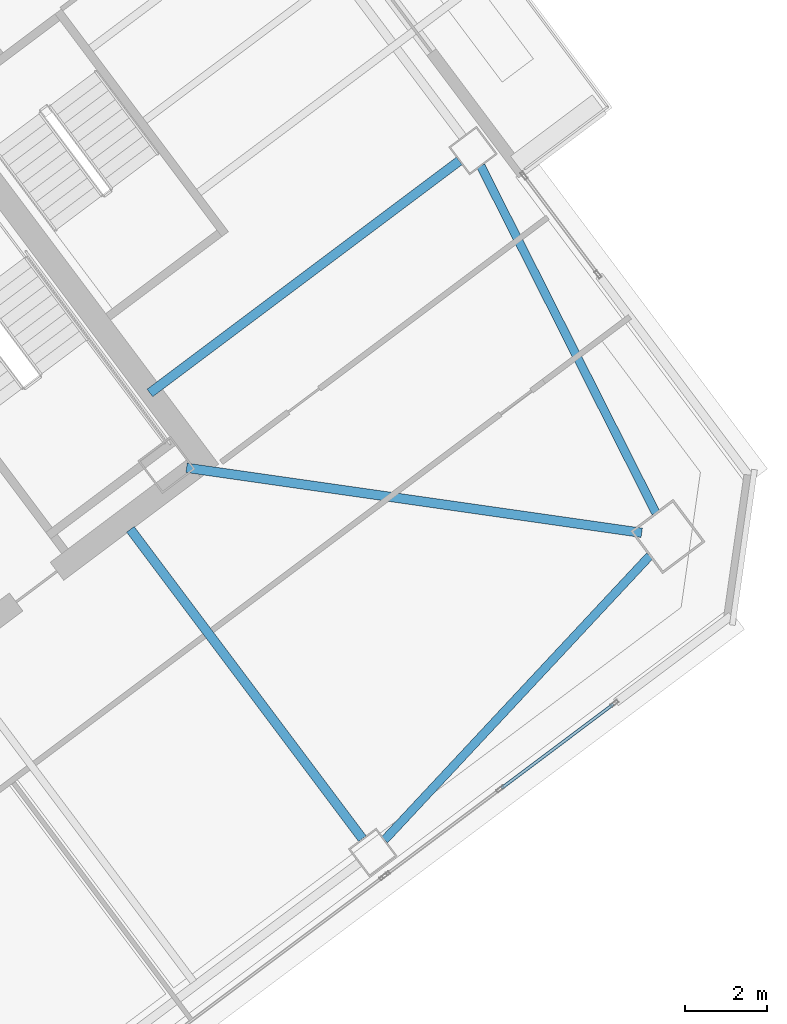
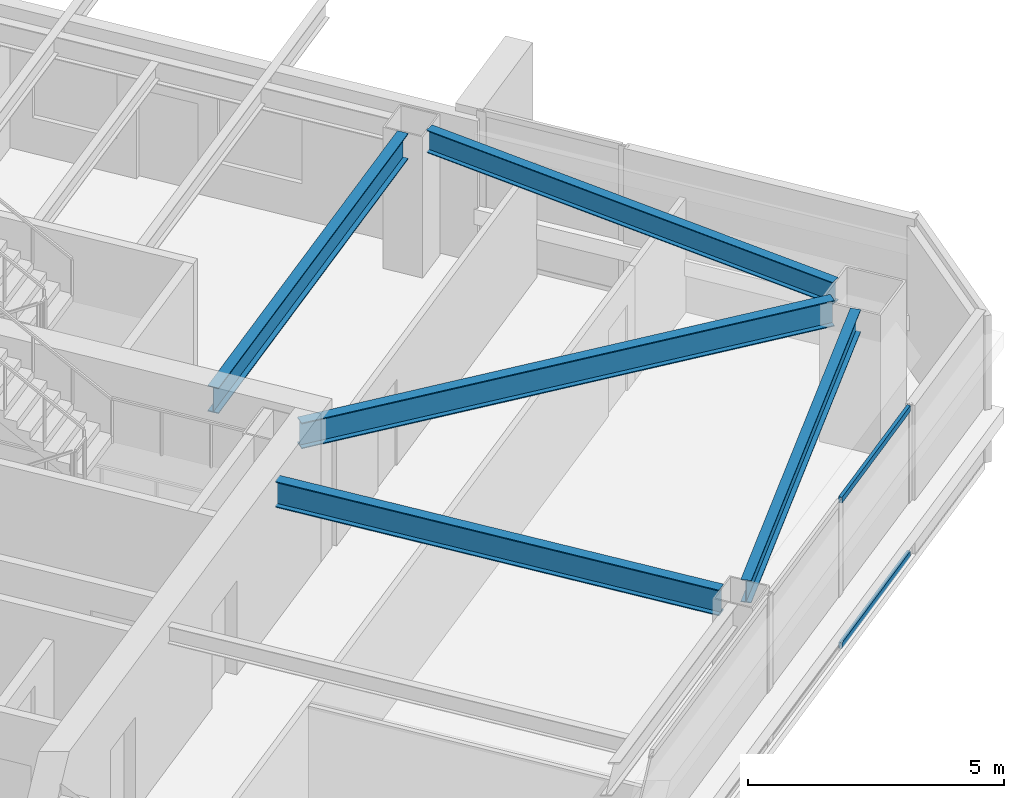
# One storey, part 24 of 44: 5 beams, 2 members, 1 element without a shape of its own.
"""IFC4 building model written with IfcOpenShell, lengths in metres."""

from ifc_helpers import new_model, si_unit, direction, frame, origin, origin_2d, place, context, subcontext, project, spatial, hollow_rectangle, i_section, extrude, material, material_profile, profile_set, type_object, element, aggregate, save


model = new_model("IFC4")

# Units and contexts
model_context = context("Model", 3, precision=1e-05, world=origin(), true_north=direction((0.0, 1.0)))
body_context = subcontext(model_context, "Body", "Model", "MODEL_VIEW")
ifc_project = project(units=[si_unit("LENGTHUNIT", "METRE"), si_unit("AREAUNIT", "SQUARE_METRE"), si_unit("VOLUMEUNIT", "CUBIC_METRE"), si_unit("PLANEANGLEUNIT", "RADIAN"), si_unit("MASSUNIT", "GRAM", prefix="KILO")], contexts=[model_context])

# Site, building, storey
site_placement = place(None, origin())
site = spatial("IfcSite", under=ifc_project, at=site_placement, CompositionType="ELEMENT")
building_placement = place(site_placement, origin())
building = spatial("IfcBuilding", under=site, at=building_placement, Name="Tashvorn Skyway Center", CompositionType="ELEMENT")
storey_placement = place(building_placement, frame((0.0, 0.0, 149.89990234375)))
storey = spatial("IfcBuildingStorey", under=building, at=storey_placement, Name="L40", CompositionType="ELEMENT", Elevation=149.89990234375)

# Beams
ifc_material_1 = material(Name="Steel ASTM A992 Grade 50", Category="steel")
ifc_material_profile_1 = material_profile(ifc_material_1, i_section(OverallWidth=0.22998046875, OverallDepth=0.616943359375, WebThickness=0.01318359375, FlangeThickness=0.022216796875, at=origin_2d()), Name="W24X94")
ifc_profile_set_1 = profile_set([ifc_material_profile_1], Name="Steel ASTM A992 Grade 50")
beam_type_1 = type_object("IfcBeamType", Name="BM-BEAM-W24X94", PredefinedType="BEAM", material=ifc_profile_set_1)
beam_1_placement = place(storey_placement, frame((135.4814453125, 28.93115234375, 3.0615234375), z_axis=(-0.989948189712, 0.141430483583, 0.0), x_axis=(-0.141430483583, -0.989948189712, 0.0)))
element("IfcBeam", 1, at=beam_1_placement, inside=storey, type_object=beam_type_1, Name="Tower 2 L40 Primary Floor Girder MC-SE", PredefinedType="BEAM", context=body_context, shape_type="SweptSolid", body=[
    extrude(i_section(OverallWidth=0.22998046875, OverallDepth=0.616943359375, WebThickness=0.01318359375, FlangeThickness=0.022216796875, at=origin_2d()), origin(), (0.0, 0.0, 1.0), 11.234375),
])
for number, where, z_axis, x_axis, name in (
    (2, (128.657958984375, 21.4560546875, 3.0615234375), (-0.599991732772, 0.800006200354, 0.0), (-0.800006200354, -0.599991732772, 0.0), "Tower 2 L40 Primary Floor Girder FC-S2"),
    (3, (131.02392578125, 38.01806640625, 3.0615234375), (-0.799984498661, -0.600020667896, 0.0), (0.600020667896, -0.799984498661, 0.0), "Tower 2 L40 Primary Floor Girder FC-E1"),
):
    element("IfcBeam", number, at=place(storey_placement, frame(where, z_axis=z_axis, x_axis=x_axis)), inside=storey, type_object=beam_type_1, Name=name, PredefinedType="BEAM", context=body_context, shape_type="SweptSolid", body=[
        extrude(i_section(OverallWidth=0.22998046875, OverallDepth=0.616943359375, WebThickness=0.01318359375, FlangeThickness=0.022216796875, at=origin_2d()), origin(), (0.0, 0.0, 1.0), 9.449951171875),
    ])
ifc_material_profile_2 = material_profile(ifc_material_1, i_section(OverallWidth=0.2109375, OverallDepth=0.5390625, WebThickness=0.01171875, FlangeThickness=0.018798828125, at=origin_2d()), Name="W21X73")
ifc_profile_set_2 = profile_set([ifc_material_profile_2], Name="Steel ASTM A992 Grade 50")
beam_type_2 = type_object("IfcBeamType", Name="BM-SPANDREL-W21X73", PredefinedType="SPANDREL", material=ifc_profile_set_2)
beam_2_placement = place(storey_placement, frame((129.19677734375, 21.427001953125, 3.1005859375), z_axis=(0.682545341102, 0.730843250868, 0.0), x_axis=(-0.730843250868, 0.682545341102, 0.0)))
element("IfcBeam", 4, at=beam_2_placement, inside=storey, type_object=beam_type_2, Name="Tower 2 L40 Spandrel Beam 03", PredefinedType="SPANDREL", context=body_context, shape_type="SweptSolid", body=[
    extrude(i_section(OverallWidth=0.2109375, OverallDepth=0.5390625, WebThickness=0.01171875, FlangeThickness=0.018798828125, at=origin_2d()), origin(), (0.0, 0.0, 1.0), 9.498046875),
])
beam_3_placement = place(storey_placement, frame((135.829345703125, 29.415771484375, 3.1005859375), z_axis=(-0.450613543136, 0.892719124217, 0.0), x_axis=(-0.892719124217, -0.450613543136, 0.0)))
element("IfcBeam", 5, at=beam_3_placement, inside=storey, type_object=beam_type_2, Name="Tower 2 L40 Spandrel Beam 04", PredefinedType="SPANDREL", context=body_context, shape_type="SweptSolid", body=[
    extrude(i_section(OverallWidth=0.2109375, OverallDepth=0.5390625, WebThickness=0.01171875, FlangeThickness=0.018798828125, at=origin_2d()), origin(), (0.0, 0.0, 1.0), 9.498291015625),
])

# Curtain wall, members
ifc_material_2 = material(Name="Thermally broken bronze-anodized aluminium 6063-T6", Category="aluminium")
curtain_wall_type = type_object("IfcCurtainWallType", Name="CW-CW-Z3", PredefinedType="NOTDEFINED", material=ifc_material_2)
curtain_wall_placement = place(storey_placement, origin())
curtain_wall = element("IfcCurtainWall", 6, at=curtain_wall_placement, inside=storey, type_object=curtain_wall_type, Name="Tower 2 L40 South Unitised Curtain Wall Glazing Group 1", PredefinedType="NOTDEFINED")
ifc_material_profile_3 = material_profile(ifc_material_2, hollow_rectangle(XDim=0.074951171875, YDim=0.139892578125, WallThickness=0.004150390625, at=origin_2d()), Name="ALU-TRAN-75x140")
ifc_profile_set_3 = profile_set([ifc_material_profile_3], Name="Thermally broken bronze-anodized aluminium 6063-T6")
member_type = type_object("IfcMemberType", Name="CWT-CW-Z3", PredefinedType="USERDEFINED", material=ifc_profile_set_3)
member_1_placement = place(storey_placement, frame((134.788818359375, 24.74169921875, 0.03759765625), z_axis=(-0.799982847995, -0.600022868659, 0.0), x_axis=(0.600022868659, -0.799982847995, 0.0)))
member_1 = element("IfcMember", 7, at=member_1_placement, type_object=member_type, Name="CW-Z3 transom 1.1", ObjectType="TRANSOM", PredefinedType="USERDEFINED", context=body_context, shape_type="SweptSolid", body=[
    extrude(hollow_rectangle(XDim=0.074951171875, YDim=0.139892578125, WallThickness=0.004150390625, at=origin_2d()), origin(), (0.0, 0.0, 1.0), 3.416259765625),
])
member_2_placement = place(storey_placement, frame((134.788818359375, 24.74169921875, 3.5126953125), z_axis=(-0.799982847995, -0.600022868659, 0.0), x_axis=(0.600022868659, -0.799982847995, 0.0)))
member_2 = element("IfcMember", 8, at=member_2_placement, type_object=member_type, Name="CW-Z3 transom 1.2", ObjectType="TRANSOM", PredefinedType="USERDEFINED", context=body_context, shape_type="SweptSolid", body=[
    extrude(hollow_rectangle(XDim=0.074951171875, YDim=0.139892578125, WallThickness=0.004150390625, at=origin_2d()), origin(), (0.0, 0.0, 1.0), 3.416259765625),
])
aggregate(curtain_wall, [member_1, member_2])

save(model, "model.ifc")
